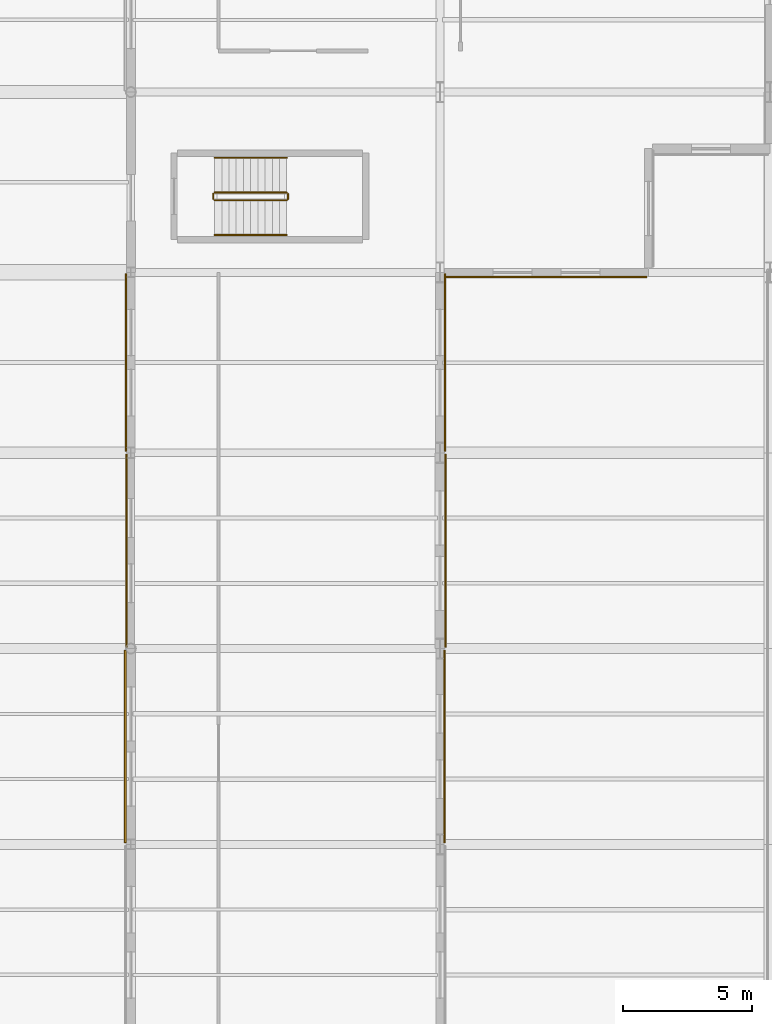
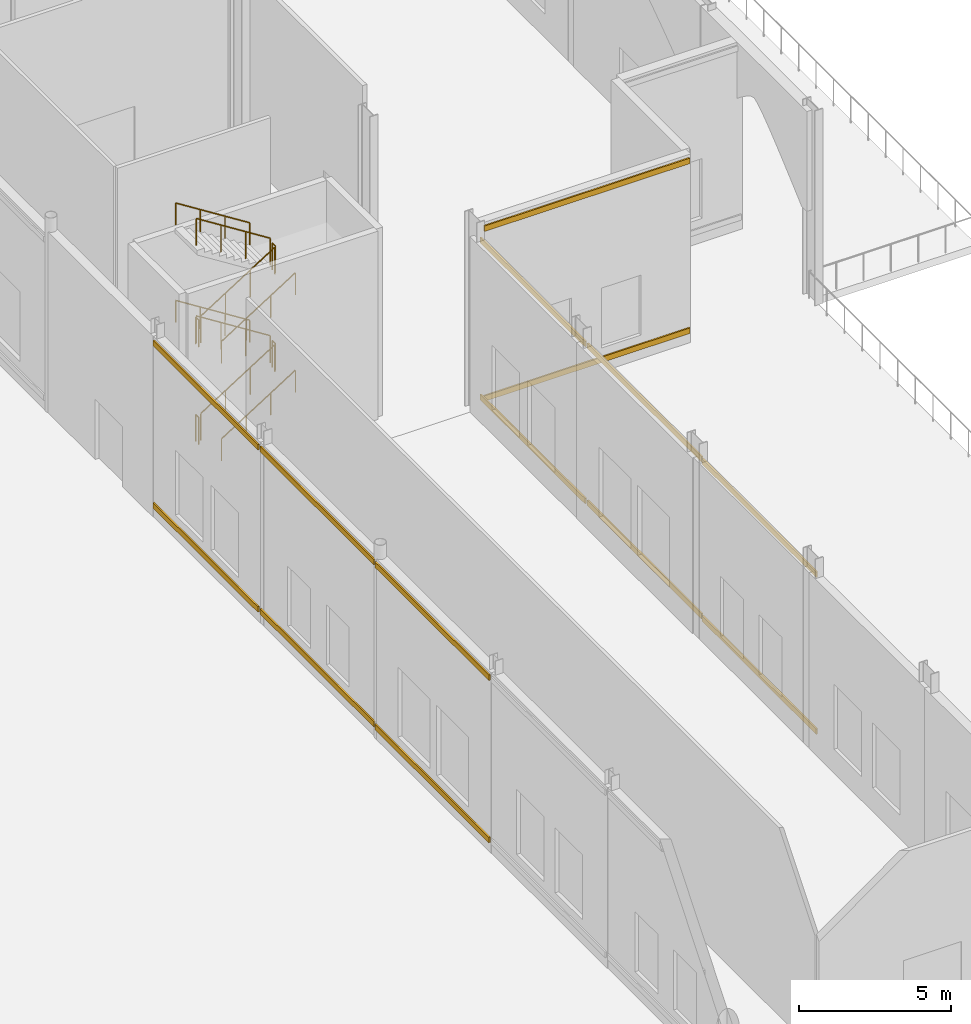
# One storey, part 171 of 176: 14 coverings, 12 railings.
"""IFC4 building model written with IfcOpenShell, lengths in metres."""

from ifc_helpers import new_model, si_unit, direction, frame, origin, origin_2d, place, context, subcontext, project, spatial, rectangle, circle, extrude, material, layer, layer_set, type_object, element, save


model = new_model("IFC4")

# Units and contexts
model_context = context("Model", 3, precision=1e-05, world=origin(), true_north=direction((0.0, 1.0)))
body_context = subcontext(model_context, "Body", "Model", "MODEL_VIEW")
ifc_project = project(units=[si_unit("LENGTHUNIT", "METRE"), si_unit("AREAUNIT", "SQUARE_METRE"), si_unit("VOLUMEUNIT", "CUBIC_METRE"), si_unit("PLANEANGLEUNIT", "RADIAN"), si_unit("MASSUNIT", "GRAM", prefix="KILO")], contexts=[model_context])

# Site, building, storey
site_placement = place(None, origin())
site = spatial("IfcSite", under=ifc_project, at=site_placement, CompositionType="ELEMENT")
building_placement = place(site_placement, origin())
building = spatial("IfcBuilding", under=site, at=building_placement, Name="Vekula Escarpment Museum", CompositionType="ELEMENT")
storey_placement = place(building_placement, origin())
storey = spatial("IfcBuildingStorey", under=building, at=storey_placement, Name="L01", CompositionType="ELEMENT", Elevation=0.0)

# Coverings
ifc_material_1 = material(Name="Polychrome limestone almasik string-course band", Category="masonry")
ifc_layer = layer(ifc_material_1, 0.06005859375)
ifc_layer_set = layer_set([ifc_layer], Name="Polychrome limestone almasik string-course band")
covering_type = type_object("IfcCoveringType", Name="COV-ALM-BAND", PredefinedType="CLADDING", material=ifc_layer_set)
for number, where, z_axis, x_axis, name in (
    (1, (166.81396484375, 49.10009765625, 0.41015625), (0.0, 0.0, 1.0), (0.0, 1.0, 0.0), "Almasik Stone String Course L01-0007"),
    (2, (166.81396484375, 49.10009765625, 6.90478515625), (0.0, 0.0, 1.0), (0.0, 1.0, 0.0), "Almasik Stone String Course L01-0008"),
):
    element("IfcCovering", number, at=place(storey_placement, frame(where, z_axis=z_axis, x_axis=x_axis)), inside=storey, type_object=covering_type, Name=name, PredefinedType="CLADDING", context=body_context, shape_type="SweptSolid", body=[
        extrude(rectangle(XDim=6.8798828125, YDim=0.06005859375, at=origin_2d()), origin(), (0.0, 0.0, 1.0), 0.219970703125),
    ])
for number, where, z_axis, x_axis, name in (
    (3, (166.823974609375, 41.800048828125, 0.41015625), (0.0, 0.0, 1.0), (0.0, 1.0, 0.0), "Almasik Stone String Course L01-0009"),
    (4, (166.823974609375, 41.800048828125, 6.90478515625), (0.0, 0.0, 1.0), (0.0, 1.0, 0.0), "Almasik Stone String Course L01-0010"),
    (5, (166.783935546875, 34.199951171875, 0.41015625), (0.0, 0.0, 1.0), (0.0, 1.0, 0.0), "Almasik Stone String Course L01-0011"),
    (6, (166.783935546875, 34.199951171875, 6.90478515625), (0.0, 0.0, 1.0), (0.0, 1.0, 0.0), "Almasik Stone String Course L01-0012"),
    (7, (179.176025390625, 34.199951171875, 0.41015625), (0.0, 0.0, 1.0), (0.0, 1.0, 0.0), "Almasik Stone String Course L01-0033"),
    (8, (179.176025390625, 34.199951171875, 6.69482421875), (0.0, 0.0, 1.0), (0.0, 1.0, 0.0), "Almasik Stone String Course L01-0034"),
    (9, (179.216064453125, 41.800048828125, 0.41015625), (0.0, 0.0, 1.0), (0.0, 1.0, 0.0), "Almasik Stone String Course L01-0035"),
    (10, (179.216064453125, 41.800048828125, 6.69482421875), (0.0, 0.0, 1.0), (0.0, 1.0, 0.0), "Almasik Stone String Course L01-0036"),
):
    element("IfcCovering", number, at=place(storey_placement, frame(where, z_axis=z_axis, x_axis=x_axis)), inside=storey, type_object=covering_type, Name=name, PredefinedType="CLADDING", context=body_context, shape_type="SweptSolid", body=[
        extrude(rectangle(XDim=7.47998046875, YDim=0.06005859375, at=origin_2d()), origin(), (0.0, 0.0, 1.0), 0.219970703125),
    ])
for number, where, z_axis, x_axis, name in (
    (11, (179.200927734375, 49.10009765625, 0.41015625), (0.0, 0.0, 1.0), (0.0, 1.0, 0.0), "Almasik Stone String Course L01-0037"),
    (12, (179.200927734375, 49.10009765625, 6.69482421875), (0.0, 0.0, 1.0), (0.0, 1.0, 0.0), "Almasik Stone String Course L01-0038"),
):
    element("IfcCovering", number, at=place(storey_placement, frame(where, z_axis=z_axis, x_axis=x_axis)), inside=storey, type_object=covering_type, Name=name, PredefinedType="CLADDING", context=body_context, shape_type="SweptSolid", body=[
        extrude(rectangle(XDim=6.8798828125, YDim=0.06005859375, at=origin_2d()), origin(), (0.0, 0.0, 1.0), 0.219970703125),
    ])
for number, where, z_axis, x_axis, name in (
    (13, (183.133544921875, 52.4140625, 0.41015625), (0.0, 0.0, 1.0), (1.0, 0.0, 0.0), "Almasik Stone String Course L01-0039"),
    (14, (183.133544921875, 52.4140625, 7.2099609375), (0.0, 0.0, 1.0), (1.0, 0.0, 0.0), "Almasik Stone String Course L01-0040"),
):
    element("IfcCovering", number, at=place(storey_placement, frame(where, z_axis=z_axis, x_axis=x_axis)), inside=storey, type_object=covering_type, Name=name, PredefinedType="CLADDING", context=body_context, shape_type="SweptSolid", body=[
        extrude(rectangle(XDim=7.7890625, YDim=0.06005859375, at=origin_2d()), origin(), (0.0, 0.0, 1.0), 0.219970703125),
    ])

# Railings
ifc_material_2 = material(Name="Painted Steel S355 stair guard", Category="steel")
railing_type_1 = type_object("IfcRailingType", Name="RL-STAIR-GUARD", PredefinedType="GUARDRAIL", material=ifc_material_2)
railing_1_placement = place(storey_placement, frame((170.25, 55.39990234375, 0.17724609375)))
element("IfcRailing", 15, at=railing_1_placement, inside=storey, type_object=railing_type_1, Name="L01 ST-02 stair guard 1", PredefinedType="GUARDRAIL", context=body_context, shape_type="SweptSolid", body=[
    extrude(circle(Radius=0.02392578125, at=origin_2d()), frame((0.0, 0.0, 1.076171875), z_axis=(0.844908973607, 0.0, 0.534910110503), x_axis=(0.0, 1.0, 0.0)), (0.0, 0.0, 1.0), 3.31396484375),
    extrude(circle(Radius=0.02099609375, at=origin_2d()), origin(), (0.0, 0.0, 1.0), 1.052001953125),
    extrude(circle(Radius=0.02099609375, at=origin_2d()), frame((0.933349609375, 0.0, 0.5908203125)), (0.0, 0.0, 1.0), 1.052001953125),
    extrude(circle(Radius=0.02099609375, at=origin_2d()), frame((1.86669921875, 0.0, 1.181884765625)), (0.0, 0.0, 1.0), 1.052001953125),
    extrude(circle(Radius=0.02099609375, at=origin_2d()), frame((2.800048828125, 0.0, 1.772705078125)), (0.0, 0.0, 1.0), 1.052001953125),
])
railing_2_placement = place(storey_placement, frame((173.10009765625, 55.449951171875, 1.949951171875)))
element("IfcRailing", 16, at=railing_2_placement, inside=storey, type_object=railing_type_1, Name="L01 ST-02 stair guard 2", PredefinedType="GUARDRAIL", context=body_context, shape_type="SweptSolid", body=[
    extrude(circle(Radius=0.02392578125, at=origin_2d()), frame((0.0, 0.0, 1.076171875), z_axis=(0.0, 1.0, 0.0), x_axis=(-1.0, 0.0, 0.0)), (0.0, 0.0, 1.0), 0.199951171875),
    extrude(circle(Radius=0.02099609375, at=origin_2d()), origin(), (0.0, 0.0, 1.0), 1.052001953125),
    extrude(circle(Radius=0.02099609375, at=origin_2d()), frame((0.0, 0.199951171875, 0.0)), (0.0, 0.0, 1.0), 1.052001953125),
])
railing_3_placement = place(storey_placement, frame((173.050048828125, 55.699951171875, 2.127197265625)))
element("IfcRailing", 17, at=railing_3_placement, inside=storey, type_object=railing_type_1, Name="L01 ST-02 stair guard 3", PredefinedType="GUARDRAIL", context=body_context, shape_type="SweptSolid", body=[
    extrude(circle(Radius=0.02392578125, at=origin_2d()), frame((0.0, 0.0, 1.076171875), z_axis=(-0.844908973607, 0.0, 0.534910110503), x_axis=(0.0, -1.0, 0.0)), (0.0, 0.0, 1.0), 3.31396484375),
    extrude(circle(Radius=0.02099609375, at=origin_2d()), origin(), (0.0, 0.0, 1.0), 1.052001953125),
    extrude(circle(Radius=0.02099609375, at=origin_2d()), frame((-0.933349609375, 0.0, 0.5908203125)), (0.0, 0.0, 1.0), 1.052001953125),
    extrude(circle(Radius=0.02099609375, at=origin_2d()), frame((-1.86669921875, 0.0, 1.181884765625)), (0.0, 0.0, 1.0), 1.052001953125),
    extrude(circle(Radius=0.02099609375, at=origin_2d()), frame((-2.800048828125, 0.0, 1.772705078125)), (0.0, 0.0, 1.0), 1.052001953125),
])
railing_4_placement = place(storey_placement, frame((170.199951171875, 55.449951171875, 3.89990234375)))
element("IfcRailing", 18, at=railing_4_placement, inside=storey, type_object=railing_type_1, Name="L01 ST-02 stair guard 4", PredefinedType="GUARDRAIL", context=body_context, shape_type="SweptSolid", body=[
    extrude(circle(Radius=0.02392578125, at=origin_2d()), frame((0.0, 0.0, 1.076171875), z_axis=(0.0, 1.0, 0.0), x_axis=(-1.0, 0.0, 0.0)), (0.0, 0.0, 1.0), 0.199951171875),
    extrude(circle(Radius=0.02099609375, at=origin_2d()), origin(), (0.0, 0.0, 1.0), 1.052001953125),
    extrude(circle(Radius=0.02099609375, at=origin_2d()), frame((0.0, 0.199951171875, 0.0)), (0.0, 0.0, 1.0), 1.052001953125),
])
railing_5_placement = place(storey_placement, frame((170.25, 55.39990234375, 4.077392578125)))
element("IfcRailing", 19, at=railing_5_placement, inside=storey, type_object=railing_type_1, Name="L01 ST-02 stair guard 5", PredefinedType="GUARDRAIL", context=body_context, shape_type="SweptSolid", body=[
    extrude(circle(Radius=0.02392578125, at=origin_2d()), frame((0.0, 0.0, 1.076171875), z_axis=(0.844908973607, 0.0, 0.534910110503), x_axis=(0.0, 1.0, 0.0)), (0.0, 0.0, 1.0), 3.31396484375),
    extrude(circle(Radius=0.02099609375, at=origin_2d()), origin(), (0.0, 0.0, 1.0), 1.052001953125),
    extrude(circle(Radius=0.02099609375, at=origin_2d()), frame((0.933349609375, 0.0, 0.5908203125)), (0.0, 0.0, 1.0), 1.052001953125),
    extrude(circle(Radius=0.02099609375, at=origin_2d()), frame((1.86669921875, 0.0, 1.181884765625)), (0.0, 0.0, 1.0), 1.052001953125),
    extrude(circle(Radius=0.02099609375, at=origin_2d()), frame((2.800048828125, 0.0, 1.772705078125)), (0.0, 0.0, 1.0), 1.052001953125),
])
railing_6_placement = place(storey_placement, frame((173.10009765625, 55.449951171875, 5.85009765625)))
element("IfcRailing", 20, at=railing_6_placement, inside=storey, type_object=railing_type_1, Name="L01 ST-02 stair guard 6", PredefinedType="GUARDRAIL", context=body_context, shape_type="SweptSolid", body=[
    extrude(circle(Radius=0.02392578125, at=origin_2d()), frame((0.0, 0.0, 1.076171875), z_axis=(0.0, 1.0, 0.0), x_axis=(-1.0, 0.0, 0.0)), (0.0, 0.0, 1.0), 0.199951171875),
    extrude(circle(Radius=0.02099609375, at=origin_2d()), origin(), (0.0, 0.0, 1.0), 1.052001953125),
    extrude(circle(Radius=0.02099609375, at=origin_2d()), frame((0.0, 0.199951171875, 0.0)), (0.0, 0.0, 1.0), 1.052001953125),
])
railing_7_placement = place(storey_placement, frame((173.050048828125, 55.699951171875, 6.02734375)))
element("IfcRailing", 21, at=railing_7_placement, inside=storey, type_object=railing_type_1, Name="L01 ST-02 stair guard 7", PredefinedType="GUARDRAIL", context=body_context, shape_type="SweptSolid", body=[
    extrude(circle(Radius=0.02392578125, at=origin_2d()), frame((0.0, 0.0, 1.076171875), z_axis=(-0.844908973607, 0.0, 0.534910110503), x_axis=(0.0, -1.0, 0.0)), (0.0, 0.0, 1.0), 3.31396484375),
    extrude(circle(Radius=0.02099609375, at=origin_2d()), origin(), (0.0, 0.0, 1.0), 1.052001953125),
    extrude(circle(Radius=0.02099609375, at=origin_2d()), frame((-0.933349609375, 0.0, 0.5908203125)), (0.0, 0.0, 1.0), 1.052001953125),
    extrude(circle(Radius=0.02099609375, at=origin_2d()), frame((-1.86669921875, 0.0, 1.181884765625)), (0.0, 0.0, 1.0), 1.052001953125),
    extrude(circle(Radius=0.02099609375, at=origin_2d()), frame((-2.800048828125, 0.0, 1.772705078125)), (0.0, 0.0, 1.0), 1.052001953125),
])
railing_8_placement = place(storey_placement, frame((170.199951171875, 55.449951171875, 0.0)))
element("IfcRailing", 22, at=railing_8_placement, inside=storey, type_object=railing_type_1, Name="L01 ST-02 stair guard 8", PredefinedType="GUARDRAIL", context=body_context, shape_type="SweptSolid", body=[
    extrude(circle(Radius=0.02392578125, at=origin_2d()), frame((0.0, 0.0, 1.076171875), z_axis=(0.0, 1.0, 0.0), x_axis=(-1.0, 0.0, 0.0)), (0.0, 0.0, 1.0), 0.199951171875),
    extrude(circle(Radius=0.02099609375, at=origin_2d()), origin(), (0.0, 0.0, 1.0), 1.052001953125),
    extrude(circle(Radius=0.02099609375, at=origin_2d()), frame((0.0, 0.199951171875, 0.0)), (0.0, 0.0, 1.0), 1.052001953125),
])
ifc_material_3 = material(Name="Brushed stainless steel handrail", Category="steel")
railing_type_2 = type_object("IfcRailingType", Name="RL-STAIR-HAND", PredefinedType="HANDRAIL", material=ifc_material_3)
railing_9_placement = place(storey_placement, frame((170.25, 54.050048828125, 0.17724609375)))
element("IfcRailing", 23, at=railing_9_placement, inside=storey, type_object=railing_type_2, Name="L01 ST-02 stair handrail 1", PredefinedType="HANDRAIL", context=body_context, shape_type="SweptSolid", body=[
    extrude(circle(Radius=0.02392578125, at=origin_2d()), frame((0.0, 0.0, 0.8759765625), z_axis=(0.844908973607, 0.0, 0.534910110503), x_axis=(0.0, 1.0, 0.0)), (0.0, 0.0, 1.0), 3.31396484375),
    extrude(circle(Radius=0.02099609375, at=origin_2d()), origin(), (0.0, 0.0, 1.0), 0.851806640625),
    extrude(circle(Radius=0.02099609375, at=origin_2d()), frame((0.933349609375, 0.0, 0.5908203125)), (0.0, 0.0, 1.0), 0.851806640625),
    extrude(circle(Radius=0.02099609375, at=origin_2d()), frame((1.86669921875, 0.0, 1.181884765625)), (0.0, 0.0, 1.0), 0.851806640625),
    extrude(circle(Radius=0.02099609375, at=origin_2d()), frame((2.800048828125, 0.0, 1.772705078125)), (0.0, 0.0, 1.0), 0.851806640625),
])
railing_10_placement = place(storey_placement, frame((173.050048828125, 57.050048828125, 2.127197265625)))
element("IfcRailing", 24, at=railing_10_placement, inside=storey, type_object=railing_type_2, Name="L01 ST-02 stair handrail 2", PredefinedType="HANDRAIL", context=body_context, shape_type="SweptSolid", body=[
    extrude(circle(Radius=0.02392578125, at=origin_2d()), frame((0.0, 0.0, 0.8759765625), z_axis=(-0.844908973607, 0.0, 0.534910110503), x_axis=(0.0, -1.0, 0.0)), (0.0, 0.0, 1.0), 3.31396484375),
    extrude(circle(Radius=0.02099609375, at=origin_2d()), origin(), (0.0, 0.0, 1.0), 0.851806640625),
    extrude(circle(Radius=0.02099609375, at=origin_2d()), frame((-0.933349609375, 0.0, 0.5908203125)), (0.0, 0.0, 1.0), 0.851806640625),
    extrude(circle(Radius=0.02099609375, at=origin_2d()), frame((-1.86669921875, 0.0, 1.181884765625)), (0.0, 0.0, 1.0), 0.851806640625),
    extrude(circle(Radius=0.02099609375, at=origin_2d()), frame((-2.800048828125, 0.0, 1.772705078125)), (0.0, 0.0, 1.0), 0.851806640625),
])
railing_11_placement = place(storey_placement, frame((170.25, 54.050048828125, 4.077392578125)))
element("IfcRailing", 25, at=railing_11_placement, inside=storey, type_object=railing_type_2, Name="L01 ST-02 stair handrail 3", PredefinedType="HANDRAIL", context=body_context, shape_type="SweptSolid", body=[
    extrude(circle(Radius=0.02392578125, at=origin_2d()), frame((0.0, 0.0, 0.8759765625), z_axis=(0.844908973607, 0.0, 0.534910110503), x_axis=(0.0, 1.0, 0.0)), (0.0, 0.0, 1.0), 3.31396484375),
    extrude(circle(Radius=0.02099609375, at=origin_2d()), origin(), (0.0, 0.0, 1.0), 0.851806640625),
    extrude(circle(Radius=0.02099609375, at=origin_2d()), frame((0.933349609375, 0.0, 0.5908203125)), (0.0, 0.0, 1.0), 0.851806640625),
    extrude(circle(Radius=0.02099609375, at=origin_2d()), frame((1.86669921875, 0.0, 1.181884765625)), (0.0, 0.0, 1.0), 0.851806640625),
    extrude(circle(Radius=0.02099609375, at=origin_2d()), frame((2.800048828125, 0.0, 1.772705078125)), (0.0, 0.0, 1.0), 0.851806640625),
])
railing_12_placement = place(storey_placement, frame((173.050048828125, 57.050048828125, 6.02734375)))
element("IfcRailing", 26, at=railing_12_placement, inside=storey, type_object=railing_type_2, Name="L01 ST-02 stair handrail 4", PredefinedType="HANDRAIL", context=body_context, shape_type="SweptSolid", body=[
    extrude(circle(Radius=0.02392578125, at=origin_2d()), frame((0.0, 0.0, 0.8759765625), z_axis=(-0.844908973607, 0.0, 0.534910110503), x_axis=(0.0, -1.0, 0.0)), (0.0, 0.0, 1.0), 3.31396484375),
    extrude(circle(Radius=0.02099609375, at=origin_2d()), origin(), (0.0, 0.0, 1.0), 0.851806640625),
    extrude(circle(Radius=0.02099609375, at=origin_2d()), frame((-0.933349609375, 0.0, 0.5908203125)), (0.0, 0.0, 1.0), 0.851806640625),
    extrude(circle(Radius=0.02099609375, at=origin_2d()), frame((-1.86669921875, 0.0, 1.181884765625)), (0.0, 0.0, 1.0), 0.851806640625),
    extrude(circle(Radius=0.02099609375, at=origin_2d()), frame((-2.800048828125, 0.0, 1.772705078125)), (0.0, 0.0, 1.0), 0.851806640625),
])

save(model, "model.ifc")
